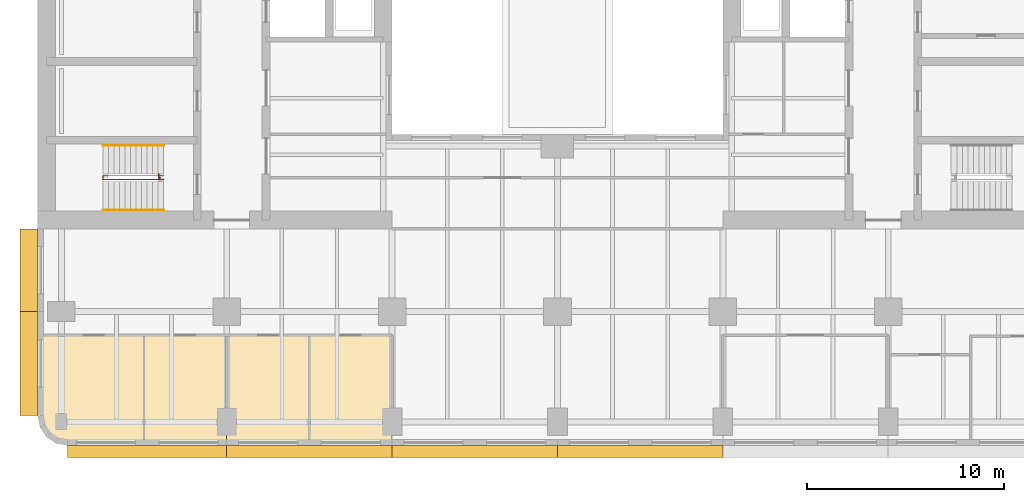
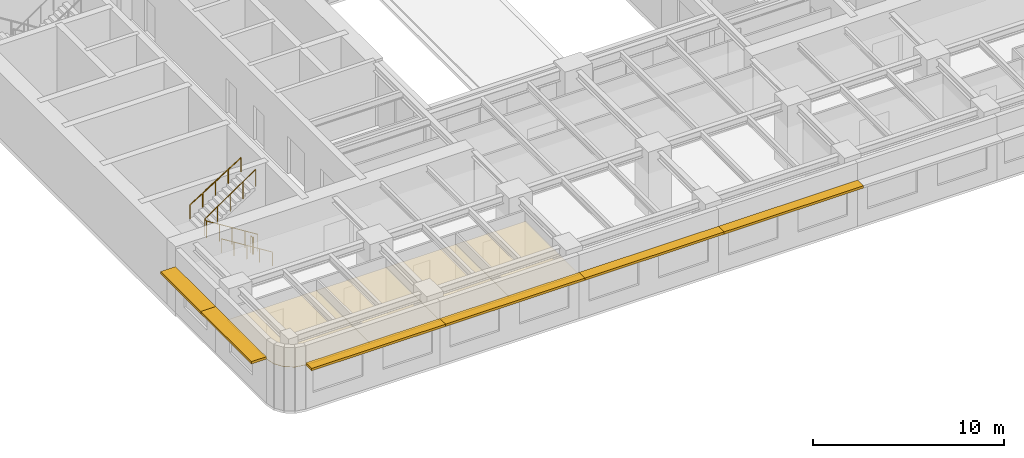
# One storey, part 9 of 14: 6 shading devices, 4 coverings, 4 railings.
"""IFC4 building model written with IfcOpenShell, lengths in metres."""

import ifcopenshell
import ifcopenshell.guid

model = None  # the IFC model being written
_history = None  # IfcOwnerHistory: only IFC2X3 demands one
_inside = {}  # id of a spatial element -> (the spatial element, [elements in it])
_under = {}  # id of a project, library or spatial element -> (it, [spatial elements below it])
_declared = {}  # id of a project -> (the project, [libraries it declares])
_typed = {}  # id of a type object -> (the type object, [elements of that type])
_made_of = {}  # id of a material, layer set ... -> (it, [elements and type objects made of it])


def new_model(schema):
    """Start an empty IFC model of exactly this schema.

    Asked for "IFC4X3", IfcOpenShell would pick the latest addendum, in which some entities
    have other attributes; the version numbers below select the first issue.
    IFC2X3 requires an IfcOwnerHistory on every rooted entity: one is made here for all.
    """
    global model, _history
    if schema == "IFC4X3":
        model = ifcopenshell.file(schema_version=(4, 3, 0, 0))
    else:
        model = ifcopenshell.file(schema=schema)
    _inside.clear()
    _under.clear()
    _declared.clear()
    _typed.clear()
    _made_of.clear()
    _history = None
    if model.schema == "IFC2X3":
        org = make("IfcOrganization", Name="unknown")
        user = make(
            "IfcPersonAndOrganization",
            ThePerson=make("IfcPerson", FamilyName="unknown"),
            TheOrganization=org,
        )
        app = make(
            "IfcApplication",
            ApplicationDeveloper=org,
            Version="unknown",
            ApplicationFullName="unknown",
            ApplicationIdentifier="unknown",
        )
        _history = make(
            "IfcOwnerHistory",
            OwningUser=user,
            OwningApplication=app,
            ChangeAction="ADDED",
            CreationDate=0,
        )
    return model


def make(cls, **values):
    """One entity of the class cls with the attributes given. An attribute that is None is left unset."""
    return model.create_entity(
        cls, **{name: value for name, value in values.items() if value is not None}
    )


def rooted(cls, **values):
    """An entity with a GlobalId (a new one), such as an element, a storey or a relation."""
    return make(cls, GlobalId=ifcopenshell.guid.new(), OwnerHistory=_history, **values)


def si_unit(unit_type, name, prefix=None):
    """IfcSIUnit, for example si_unit("LENGTHUNIT", "METRE", prefix="MILLI")."""
    return make("IfcSIUnit", UnitType=unit_type, Prefix=prefix, Name=name)


def assignment(units):
    """IfcUnitAssignment: the units of a project."""
    return None if units is None else make("IfcUnitAssignment", Units=units)


def point(xyz):
    """IfcCartesianPoint."""
    return None if xyz is None else make("IfcCartesianPoint", Coordinates=xyz)


def direction(xyz):
    """IfcDirection."""
    return None if xyz is None else make("IfcDirection", DirectionRatios=xyz)


def frame(location, z_axis=None, x_axis=None):
    """IfcAxis2Placement3D, a coordinate frame: its origin and axes. An axis left out is left unset."""
    return make(
        "IfcAxis2Placement3D",
        Location=point(location),
        Axis=direction(z_axis),
        RefDirection=direction(x_axis),
    )


def frame_2d(location, x_axis=None):
    """IfcAxis2Placement2D, a coordinate frame in the plane: its origin and x axis."""
    return make(
        "IfcAxis2Placement2D", Location=point(location), RefDirection=direction(x_axis)
    )


def origin():
    """The frame at (0, 0, 0) with its axes left unset."""
    return frame((0.0, 0.0, 0.0))


def origin_2d():
    """The frame at (0, 0) in the plane with its x axis left unset."""
    return frame_2d((0.0, 0.0))


def place(relative_to, where):
    """IfcLocalPlacement: puts the frame where relative to a parent placement (None: the world)."""
    return make(
        "IfcLocalPlacement", PlacementRelTo=relative_to, RelativePlacement=where
    )


def context(
    kind, dimensions, precision=None, world=None, true_north=None, identifier=None
):
    """IfcGeometricRepresentationContext, for example the 3D "Model" context."""
    return make(
        "IfcGeometricRepresentationContext",
        ContextIdentifier=identifier,
        ContextType=kind,
        CoordinateSpaceDimension=dimensions,
        Precision=precision,
        WorldCoordinateSystem=world,
        TrueNorth=true_north,
    )


def subcontext(parent, identifier, kind, view, scale=None):
    """IfcGeometricRepresentationSubContext, for example "Body" below "Model"."""
    return make(
        "IfcGeometricRepresentationSubContext",
        ContextIdentifier=identifier,
        ContextType=kind,
        ParentContext=parent,
        TargetScale=scale,
        TargetView=view,
    )


def project(units=None, contexts=None):
    """IfcProject with its units and contexts."""
    return rooted(
        "IfcProject",
        Name="project",
        RepresentationContexts=contexts,
        UnitsInContext=assignment(units),
    )


def spatial(cls, under=None, at=None, **own):
    """A site, building, storey or space (cls), placed at a placement, below another one or the project."""
    s = rooted(cls, ObjectPlacement=at, **own)
    if under is not None:
        _under.setdefault(under.id(), (under, []))[1].append(s)
    return s


def polyline(points):
    """IfcPolyline through the points."""
    return make("IfcPolyline", Points=[point(p) for p in points])


def profile(cls, at=None, kind="AREA", **sizes):
    """A parametric profile (cls). Its sizes go by their IFC names, for example OverallWidth=200.0."""
    return make(cls, ProfileType=kind, Position=at, **sizes)


def rectangle(**sizes):
    """IfcRectangleProfileDef."""
    return profile("IfcRectangleProfileDef", **sizes)


def circle(**sizes):
    """IfcCircleProfileDef."""
    return profile("IfcCircleProfileDef", **sizes)


def outline(outer, holes=None, kind="AREA"):
    """IfcArbitraryClosedProfileDef: a profile drawn as a closed curve; with holes, ...WithVoids."""
    if holes is None:
        return make("IfcArbitraryClosedProfileDef", ProfileType=kind, OuterCurve=outer)
    return make(
        "IfcArbitraryProfileDefWithVoids",
        ProfileType=kind,
        OuterCurve=outer,
        InnerCurves=holes,
    )


def extrude(swept, where, along, depth):
    """IfcExtrudedAreaSolid: the profile swept, set in the frame where, extruded along a direction by depth."""
    return make(
        "IfcExtrudedAreaSolid",
        SweptArea=swept,
        Position=where,
        ExtrudedDirection=direction(along),
        Depth=depth,
    )


def shape(context_of_items, identifier, shape_type, items):
    """IfcShapeRepresentation: the items that make up one representation, for example the "Body"."""
    return make(
        "IfcShapeRepresentation",
        ContextOfItems=context_of_items,
        RepresentationIdentifier=identifier,
        RepresentationType=shape_type,
        Items=items,
    )


def material(Name=None, Category=None):
    """IfcMaterial."""
    return make("IfcMaterial", Name=Name, Category=Category)


def layer(
    of_material, thickness, ventilated=None, Name=None, Category=None, Priority=None
):
    """IfcMaterialLayer: one layer of a wall or slab, of a material (None: an air gap)."""
    return make(
        "IfcMaterialLayer",
        Material=of_material,
        LayerThickness=thickness,
        IsVentilated=ventilated,
        Name=Name,
        Category=Category,
        Priority=Priority,
    )


def layer_set(layers, Name=None):
    """IfcMaterialLayerSet."""
    return make("IfcMaterialLayerSet", MaterialLayers=layers, LayerSetName=Name)


def made_of(thing, what):
    """Note that an element or type object is made of a material, layer set ...; save() writes the relation."""
    if what is not None:
        _made_of.setdefault(what.id(), (what, []))[1].append(thing)
    return thing


def type_object(cls, material=None, **own):
    """A type object (cls), such as IfcWallType, which elements share."""
    return made_of(rooted(cls, **own), material)


def element(
    cls,
    number,
    at=None,
    inside=None,
    cuts=None,
    type_object=None,
    material=None,
    context=None,
    identifier="Body",
    shape_type=None,
    held_by="IfcProductDefinitionShape",
    body=None,
    shapes=None,
    **own,
):
    """One element of the class cls, such as IfcWall. Its Tag is "e" and its number.

    at: its placement. inside: the storey or other place that contains it. cuts: it is an
    opening in that element (IfcRelVoidsElement). A single representation is given by context,
    identifier, shape_type and body (its items); several are given by shapes. held_by: the class
    of the entity that holds the representations. save() writes the other relations.
    """
    e = rooted(cls, Tag="e%d" % number, ObjectPlacement=at, **own)
    if body is not None:
        shapes = [shape(context, identifier, shape_type, body)]
    if shapes is not None:
        e.Representation = make(held_by, Representations=shapes)
    if inside is not None:
        _inside.setdefault(inside.id(), (inside, []))[1].append(e)
    if cuts is not None:
        rooted(
            "IfcRelVoidsElement", RelatingBuildingElement=cuts, RelatedOpeningElement=e
        )
    if type_object is not None:
        _typed.setdefault(type_object.id(), (type_object, []))[1].append(e)
    return made_of(e, material)


def aggregate(whole, parts):
    """IfcRelAggregates: a whole, such as a stair, and the parts it consists of."""
    return rooted("IfcRelAggregates", RelatingObject=whole, RelatedObjects=parts)


def save(model, path):
    """Write the relations noted so far, then the file.

    IfcRelAggregates (storeys below a building ...), IfcRelContainedInSpatialStructure (elements
    in a storey), IfcRelDefinesByType, IfcRelAssociatesMaterial and IfcRelDeclares: one each for
    every whole, place, type object, material and project.
    """
    for whole, parts in _under.values():
        aggregate(whole, parts)
    for where, things in _inside.values():
        rooted(
            "IfcRelContainedInSpatialStructure",
            RelatedElements=things,
            RelatingStructure=where,
        )
    for kind, things in _typed.values():
        rooted("IfcRelDefinesByType", RelatedObjects=things, RelatingType=kind)
    for what, things in _made_of.values():
        rooted("IfcRelAssociatesMaterial", RelatedObjects=things, RelatingMaterial=what)
    for by, libraries in _declared.values():
        rooted("IfcRelDeclares", RelatingContext=by, RelatedDefinitions=libraries)
    model.write(path)


model = new_model("IFC4")

# Units and contexts
model_context = context("Model", 3, precision=1e-05, world=origin(), true_north=direction((0.0, 1.0)))
body_context = subcontext(model_context, "Body", "Model", "MODEL_VIEW")
ifc_project = project(units=[si_unit("LENGTHUNIT", "METRE"), si_unit("AREAUNIT", "SQUARE_METRE"), si_unit("VOLUMEUNIT", "CUBIC_METRE"), si_unit("PLANEANGLEUNIT", "RADIAN"), si_unit("MASSUNIT", "GRAM", prefix="KILO")], contexts=[model_context])

# Site, building, storey
site_placement = place(None, origin())
site = spatial("IfcSite", under=ifc_project, at=site_placement, CompositionType="ELEMENT")
building_placement = place(site_placement, origin())
building = spatial("IfcBuilding", under=site, at=building_placement, Name="Claustro Exchange Tower", CompositionType="ELEMENT")
storey_placement = place(building_placement, frame((0.0, 0.0, 100.800048828125)))
storey = spatial("IfcBuildingStorey", under=building, at=storey_placement, Name="L22", CompositionType="ELEMENT", Elevation=100.800048828125)

# Coverings
ifc_material_1 = material(Name="Gypsum board ceiling", Category="gypsum board")
ifc_layer_1 = layer(ifc_material_1, 0.02490234375)
ifc_layer_set_1 = layer_set([ifc_layer_1], Name="Gypsum board ceiling")
covering_type = type_object("IfcCoveringType", Name="CL2 plasterboard ceiling", PredefinedType="CEILING", material=ifc_layer_set_1)
covering_1_placement = place(storey_placement, frame((0.0, 0.0, 2.800048828125)))
element("IfcCovering", 1, at=covering_1_placement, inside=storey, type_object=covering_type, Name="Ceiling CL2 L22-02", PredefinedType="CEILING", context=body_context, shape_type="SweptSolid", body=[
    extrude(outline(polyline([(-1.085693359375, 2.52587890625), (-0.7607421875, 2.039306640625), (-0.27392578125, 1.714111328125), (0.300048828125, 1.60009765625), (4.199951171875, 1.60009765625), (4.199951171875, 7.199951171875), (-1.199951171875, 7.199951171875), (-1.199951171875, 3.10009765625), (-1.085693359375, 2.52587890625)])), origin(), (0.0, 0.0, 1.0), 0.02490234375),
])
covering_2_placement = place(storey_placement, frame((0.0, 0.0, 2.800048828125)))
element("IfcCovering", 2, at=covering_2_placement, inside=storey, type_object=covering_type, Name="Ceiling CL2 L22-03", PredefinedType="CEILING", context=body_context, shape_type="SweptSolid", body=[
    extrude(outline(polyline([(4.199951171875, 1.60009765625), (8.39990234375, 1.60009765625), (8.39990234375, 7.199951171875), (4.199951171875, 7.199951171875), (4.199951171875, 1.60009765625)])), origin(), (0.0, 0.0, 1.0), 0.02490234375),
])
covering_3_placement = place(storey_placement, frame((0.0, 0.0, 2.800048828125)))
element("IfcCovering", 3, at=covering_3_placement, inside=storey, type_object=covering_type, Name="Ceiling CL2 L22-04", PredefinedType="CEILING", context=body_context, shape_type="SweptSolid", body=[
    extrude(outline(polyline([(8.39990234375, 1.60009765625), (12.60009765625, 1.60009765625), (12.60009765625, 7.199951171875), (8.39990234375, 7.199951171875), (8.39990234375, 1.60009765625)])), origin(), (0.0, 0.0, 1.0), 0.02490234375),
])
covering_4_placement = place(storey_placement, frame((0.0, 0.0, 2.800048828125)))
element("IfcCovering", 4, at=covering_4_placement, inside=storey, type_object=covering_type, Name="Ceiling CL2 L22-05", PredefinedType="CEILING", context=body_context, shape_type="SweptSolid", body=[
    extrude(outline(polyline([(12.60009765625, 1.60009765625), (16.800048828125, 1.60009765625), (16.800048828125, 7.199951171875), (12.60009765625, 7.199951171875), (12.60009765625, 1.60009765625)])), origin(), (0.0, 0.0, 1.0), 0.02490234375),
])

# Railings
ifc_material_2 = material(Name="Steel balustrade, painted", Category="steel")
railing_type_1 = type_object("IfcRailingType", Name="GR2 1100 steel stair guard", PredefinedType="GUARDRAIL", material=ifc_material_2)
railing_1_placement = place(storey_placement, frame((5.199951171875, 15.10009765625, 0.175048828125)))
element("IfcRailing", 5, at=railing_1_placement, inside=storey, type_object=railing_type_1, Name="Stair well guard GR2 stair STWA L22", PredefinedType="GUARDRAIL", context=body_context, shape_type="SweptSolid", body=[
    extrude(circle(Radius=0.02392578125, at=origin_2d()), frame((0.0, 0.0, 1.076171875), z_axis=(-0.848009633417, 0.0, 0.529980812513), x_axis=(0.0, -1.0, 0.0)), (0.0, 0.0, 1.0), 3.6318359375),
    extrude(circle(Radius=0.02392578125, at=origin_2d()), frame((-3.079833984375, 0.0, 3.0009765625), z_axis=(0.0, 1.0, 0.0), x_axis=(-1.0, 0.0, 0.0)), (0.0, 0.0, 1.0), 0.199951171875),
    extrude(circle(Radius=0.02392578125, at=origin_2d()), frame((-3.079833984375, 0.199951171875, 3.0009765625), z_axis=(0.826201015165, 0.0, 0.563375436579), x_axis=(0.0, 1.0, 0.0)), (0.0, 0.0, 1.0), 3.727783203125),
    extrude(circle(Radius=0.02099609375, at=origin_2d()), origin(), (0.0, 0.0, 1.0), 1.052001953125),
    extrude(circle(Radius=0.02099609375, at=origin_2d()), frame((-0.77001953125, 0.0, 0.481201171875)), (0.0, 0.0, 1.0), 1.052001953125),
    extrude(circle(Radius=0.02099609375, at=origin_2d()), frame((-1.5400390625, 0.0, 0.96240234375)), (0.0, 0.0, 1.0), 1.052001953125),
    extrude(circle(Radius=0.02099609375, at=origin_2d()), frame((-2.309814453125, 0.0, 1.443603515625)), (0.0, 0.0, 1.0), 1.052001953125),
    extrude(circle(Radius=0.02099609375, at=origin_2d()), frame((-3.079833984375, 0.0, 1.9248046875)), (0.0, 0.0, 1.0), 1.052001953125),
    extrude(circle(Radius=0.02099609375, at=origin_2d()), frame((-3.079833984375, 0.199951171875, 1.9248046875)), (0.0, 0.0, 1.0), 1.052001953125),
    extrude(circle(Radius=0.02099609375, at=origin_2d()), frame((-2.309814453125, 0.199951171875, 2.44970703125)), (0.0, 0.0, 1.0), 1.052001953125),
    extrude(circle(Radius=0.02099609375, at=origin_2d()), frame((-1.5400390625, 0.199951171875, 2.974853515625)), (0.0, 0.0, 1.0), 1.052001953125),
    extrude(circle(Radius=0.02099609375, at=origin_2d()), frame((-0.77001953125, 0.199951171875, 3.5)), (0.0, 0.0, 1.0), 1.052001953125),
    extrude(circle(Radius=0.02099609375, at=origin_2d()), frame((0.0, 0.199951171875, 4.02490234375)), (0.0, 0.0, 1.0), 1.052001953125),
])
railing_2_placement = place(storey_placement, frame((5.0, 15.169921875, 0.0)))
element("IfcRailing", 6, at=railing_2_placement, inside=storey, type_object=railing_type_1, Name="Stair guard GR2 STWA L22", PredefinedType="GUARDRAIL", context=body_context, shape_type="SweptSolid", body=[
    extrude(circle(Radius=0.02392578125, at=origin_2d()), frame((0.0, 0.0, 1.076171875), z_axis=(0.0, 1.0, 0.0), x_axis=(-1.0, 0.0, 0.0)), (0.0, 0.0, 1.0), 0.030029296875),
    extrude(circle(Radius=0.02392578125, at=origin_2d()), frame((0.0, 0.030029296875, 1.076171875), z_axis=(-1.0, 0.0, 0.0), x_axis=(0.0, -1.0, 0.0)), (0.0, 0.0, 1.0), 0.054931640625),
    extrude(circle(Radius=0.02392578125, at=origin_2d()), frame((-0.054931640625, 0.030029296875, 1.076171875), z_axis=(0.0, 1.0, 0.0), x_axis=(-1.0, 0.0, 0.0)), (0.0, 0.0, 1.0), 0.179931640625),
    extrude(circle(Radius=0.02099609375, at=origin_2d()), origin(), (0.0, 0.0, 1.0), 1.052001953125),
    extrude(circle(Radius=0.02099609375, at=origin_2d()), frame((0.0, 0.030029296875, 0.0)), (0.0, 0.0, 1.0), 1.052001953125),
    extrude(circle(Radius=0.02099609375, at=origin_2d()), frame((-0.054931640625, 0.030029296875, 0.0)), (0.0, 0.0, 1.0), 1.052001953125),
    extrude(circle(Radius=0.02099609375, at=origin_2d()), frame((-0.054931640625, 0.2099609375, 0.0)), (0.0, 0.0, 1.0), 1.052001953125),
])
ifc_material_3 = material(Name="Stainless steel tube", Category="steel")
railing_type_2 = type_object("IfcRailingType", Name="HR1 900 stair handrail", PredefinedType="HANDRAIL", material=ifc_material_3)
railing_3_placement = place(storey_placement, frame((5.199951171875, 13.56005859375, 0.175048828125)))
element("IfcRailing", 7, at=railing_3_placement, inside=storey, type_object=railing_type_2, Name="Handrail HR1 stair STWA L22", PredefinedType="HANDRAIL", context=body_context, shape_type="SweptSolid", body=[
    extrude(circle(Radius=0.02392578125, at=origin_2d()), frame((0.0, 0.0, 0.8759765625), z_axis=(-0.848009633417, 0.0, 0.529980812513), x_axis=(0.0, -1.0, 0.0)), (0.0, 0.0, 1.0), 3.6318359375),
    extrude(circle(Radius=0.02099609375, at=origin_2d()), origin(), (0.0, 0.0, 1.0), 0.851806640625),
    extrude(circle(Radius=0.02099609375, at=origin_2d()), frame((-0.77001953125, 0.0, 0.481201171875)), (0.0, 0.0, 1.0), 0.851806640625),
    extrude(circle(Radius=0.02099609375, at=origin_2d()), frame((-1.5400390625, 0.0, 0.96240234375)), (0.0, 0.0, 1.0), 0.851806640625),
    extrude(circle(Radius=0.02099609375, at=origin_2d()), frame((-2.309814453125, 0.0, 1.443603515625)), (0.0, 0.0, 1.0), 0.851806640625),
    extrude(circle(Radius=0.02099609375, at=origin_2d()), frame((-3.079833984375, 0.0, 1.9248046875)), (0.0, 0.0, 1.0), 0.851806640625),
])
railing_4_placement = place(storey_placement, frame((2.1201171875, 16.840087890625, 2.27490234375)))
element("IfcRailing", 8, at=railing_4_placement, inside=storey, type_object=railing_type_2, Name="Handrail HR1 stair STWA L22", PredefinedType="HANDRAIL", context=body_context, shape_type="SweptSolid", body=[
    extrude(circle(Radius=0.02392578125, at=origin_2d()), frame((0.0, 0.0, 0.8759765625), z_axis=(0.847979421464, 0.0, 0.530029150871), x_axis=(0.0, 1.0, 0.0)), (0.0, 0.0, 1.0), 3.632080078125),
    extrude(circle(Radius=0.02099609375, at=origin_2d()), origin(), (0.0, 0.0, 1.0), 0.851806640625),
    extrude(circle(Radius=0.02099609375, at=origin_2d()), frame((0.77001953125, 0.0, 0.481201171875)), (0.0, 0.0, 1.0), 0.851806640625),
    extrude(circle(Radius=0.02099609375, at=origin_2d()), frame((1.5400390625, 0.0, 0.96240234375)), (0.0, 0.0, 1.0), 0.851806640625),
    extrude(circle(Radius=0.02099609375, at=origin_2d()), frame((2.309814453125, 0.0, 1.44384765625)), (0.0, 0.0, 1.0), 0.851806640625),
    extrude(circle(Radius=0.02099609375, at=origin_2d()), frame((3.079833984375, 0.0, 1.925048828125)), (0.0, 0.0, 1.0), 0.851806640625),
])

# Shading devices
ifc_material_4 = material(Name="Concrete HA-40 (C40/50), precast, white cement, acid-etched", Category="concrete")
ifc_layer_2 = layer(ifc_material_4, 0.14990234375)
ifc_layer_set_2 = layer_set([ifc_layer_2], Name="Concrete HA-40 (C40/50), precast, white cement, acid-etched")
shading_device_type_1 = type_object("IfcShadingDeviceType", Name="SS1 600 precast concrete SUNSHADE", PredefinedType="SHUTTER", material=ifc_layer_set_2)
for number, where, z_axis, x_axis, name in (
    (9, (29.39990234375, 1.300048828125, 2.800048828125), (0.0, 0.0, 1.0), (-1.0, 0.0, 0.0), "Precast SUNSHADE SS1 L22"),
    (10, (21.0, 1.300048828125, 2.800048828125), (0.0, 0.0, 1.0), (-1.0, 0.0, 0.0), "Precast SUNSHADE SS1 L22"),
    (11, (12.60009765625, 1.300048828125, 2.800048828125), (0.0, 0.0, 1.0), (-1.0, 0.0, 0.0), "Precast SUNSHADE SS1 L22"),
):
    element("IfcShadingDevice", number, at=place(storey_placement, frame(where, z_axis=z_axis, x_axis=x_axis)), inside=storey, type_object=shading_device_type_1, Name=name, PredefinedType="SHUTTER", context=body_context, shape_type="SweptSolid", body=[
        extrude(rectangle(XDim=8.39990234375, YDim=0.60009765625, at=origin_2d()), origin(), (0.0, 0.0, 1.0), 0.14990234375),
    ])
shading_device_1_placement = place(storey_placement, frame((4.357421875, 1.300048828125, 2.800048828125), z_axis=(0.0, 0.0, 1.0), x_axis=(-1.0, 0.0, 0.0)))
element("IfcShadingDevice", 12, at=shading_device_1_placement, inside=storey, type_object=shading_device_type_1, Name="Precast SUNSHADE SS1 L22", PredefinedType="SHUTTER", context=body_context, shape_type="SweptSolid", body=[
    extrude(rectangle(XDim=8.085205078125, YDim=0.60009765625, at=origin_2d()), origin(), (0.0, 0.0, 1.0), 0.14990234375),
])
ifc_material_5 = material(Name="Concrete HA-40 (C40/50), precast, white cement, acid-etched", Category="concrete")
ifc_layer_3 = layer(ifc_material_5, 0.14990234375)
ifc_layer_set_3 = layer_set([ifc_layer_3], Name="Concrete HA-40 (C40/50), precast, white cement, acid-etched")
shading_device_type_2 = type_object("IfcShadingDeviceType", Name="SS2 900 precast concrete SUNSHADE", PredefinedType="SHUTTER", material=ifc_layer_set_3)
shading_device_2_placement = place(storey_placement, frame((-1.64990234375, 5.75732421875, 2.800048828125), z_axis=(0.0, 0.0, 1.0), x_axis=(0.0, 1.0, 0.0)))
element("IfcShadingDevice", 13, at=shading_device_2_placement, inside=storey, type_object=shading_device_type_2, Name="Precast SUNSHADE SS2 L22", PredefinedType="SHUTTER", context=body_context, shape_type="SweptSolid", body=[
    extrude(rectangle(XDim=5.28515625, YDim=0.89990234375, at=origin_2d()), origin(), (0.0, 0.0, 1.0), 0.14990234375),
])
shading_device_3_placement = place(storey_placement, frame((-1.64990234375, 10.5, 2.800048828125), z_axis=(0.0, 0.0, 1.0), x_axis=(0.0, 1.0, 0.0)))
element("IfcShadingDevice", 14, at=shading_device_3_placement, inside=storey, type_object=shading_device_type_2, Name="Precast SUNSHADE SS2 L22", PredefinedType="SHUTTER", context=body_context, shape_type="SweptSolid", body=[
    extrude(rectangle(XDim=4.199951171875, YDim=0.89990234375, at=origin_2d()), origin(), (0.0, 0.0, 1.0), 0.14990234375),
])

save(model, "model.ifc")
